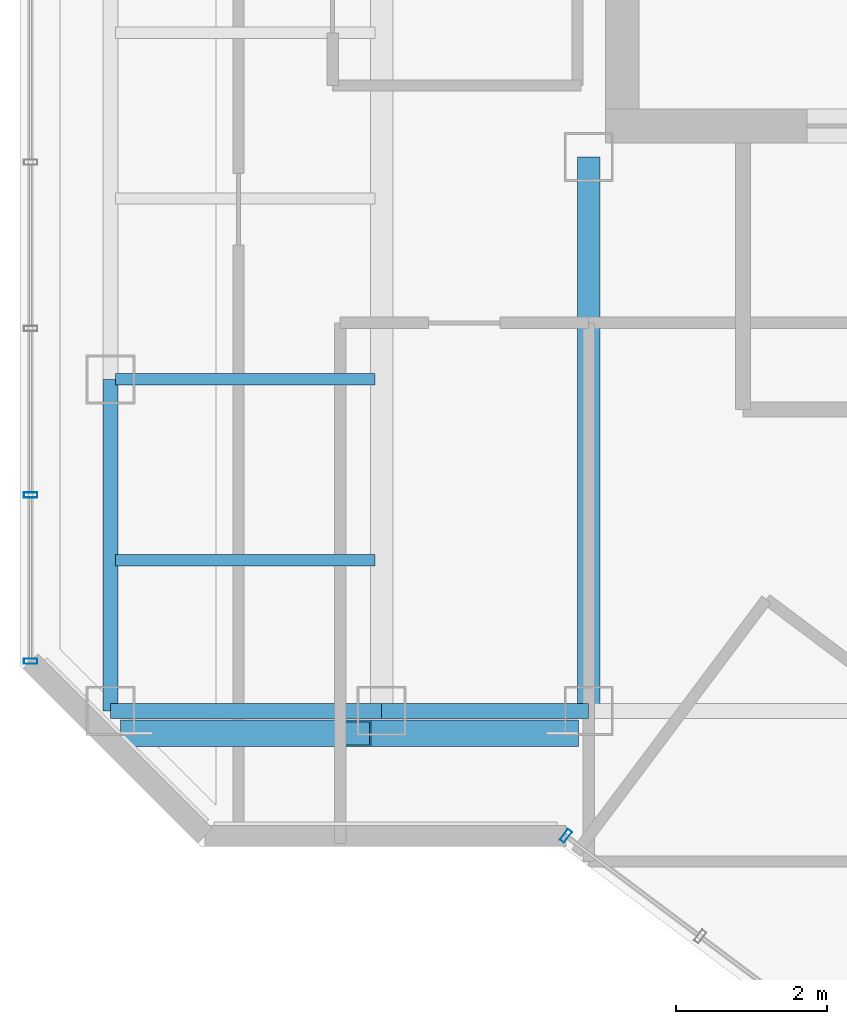
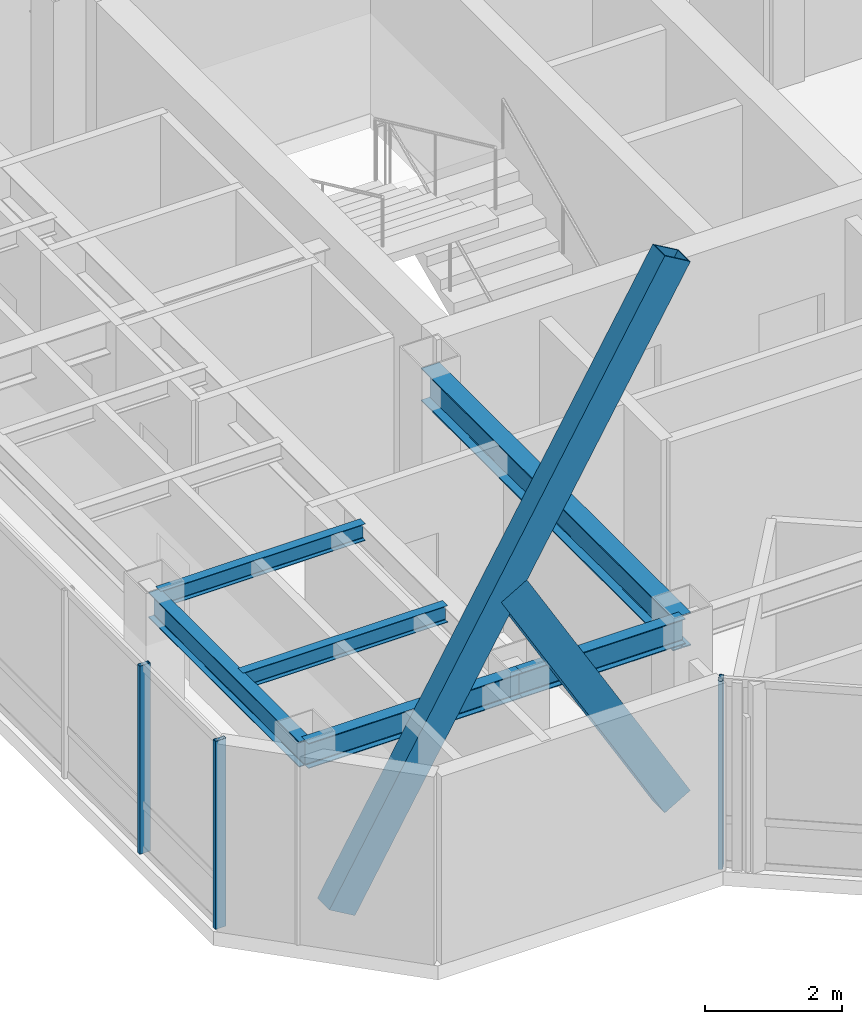
# One storey, part 3 of 22: 6 beams, 5 members, 2 elements without a shape of their own.
"""IFC4 building model written with IfcOpenShell, lengths in metres."""

from ifc_helpers import new_model, si_unit, direction, frame, origin, origin_2d, place, context, subcontext, project, spatial, hollow_rectangle, i_section, extrude, material, layer, layer_set, material_profile, profile_set, type_object, element, aggregate, save


model = new_model("IFC4")

# Units and contexts
model_context = context("Model", 3, precision=1e-05, world=origin(), true_north=direction((0.0, 1.0)))
body_context = subcontext(model_context, "Body", "Model", "MODEL_VIEW")
ifc_project = project(units=[si_unit("LENGTHUNIT", "METRE"), si_unit("AREAUNIT", "SQUARE_METRE"), si_unit("VOLUMEUNIT", "CUBIC_METRE"), si_unit("PLANEANGLEUNIT", "RADIAN"), si_unit("MASSUNIT", "GRAM", prefix="KILO")], contexts=[model_context])

# Site, building, storey
site_placement = place(None, origin())
site = spatial("IfcSite", under=ifc_project, at=site_placement, CompositionType="ELEMENT")
building_placement = place(site_placement, origin())
building = spatial("IfcBuilding", under=site, at=building_placement, Name="Hatsunagi Terrace Concourse", CompositionType="ELEMENT")
storey_placement = place(building_placement, frame((0.0, 0.0, 239.550048828125)))
storey = spatial("IfcBuildingStorey", under=building, at=storey_placement, Name="L63", CompositionType="ELEMENT", Elevation=239.550048828125)

# Curtain wall, member
ifc_material_1 = material(Name="Anodised Aluminium Alloy 6063-T5", Category="aluminium")
ifc_layer = layer(ifc_material_1, 0.199951171875)
ifc_layer_set = layer_set([ifc_layer], Name="OfficeZone2_CW04")
curtain_wall_type = type_object("IfcCurtainWallType", Name="OfficeZone2_CW04", PredefinedType="NOTDEFINED", material=ifc_layer_set)
curtain_wall_1_placement = place(storey_placement, origin())
curtain_wall_1 = element("IfcCurtainWall", 1, at=curtain_wall_1_placement, inside=storey, type_object=curtain_wall_type, Name="Unitised Curtain Wall CW-04 CW-L63-05", PredefinedType="NOTDEFINED")
ifc_material_2 = material(Name="Anodised Aluminium Alloy 6063-T5", Category="aluminium")
ifc_material_profile_1 = material_profile(ifc_material_2, hollow_rectangle(XDim=0.070068359375, YDim=0.179931640625, WallThickness=0.00390625, at=origin_2d()), Name="ALU-MUL-180x70x4")
ifc_profile_set_1 = profile_set([ifc_material_profile_1], Name="Anodised Aluminium Alloy 6063-T5")
member_type_1 = type_object("IfcMemberType", Name="CurtainWallMullion_180x70", PredefinedType="MULLION", material=ifc_profile_set_1)
member_1_placement = place(storey_placement, frame((25.2470703125, 23.5400390625, 0.0), z_axis=(0.0, 0.0, 1.0), x_axis=(-0.800007305671, 0.599990258982, 0.0)))
member_1 = element("IfcMember", 2, at=member_1_placement, type_object=member_type_1, Name="Curtain Wall Mullion MUL-02", PredefinedType="MULLION", context=body_context, shape_type="SweptSolid", body=[
    extrude(hollow_rectangle(XDim=0.070068359375, YDim=0.179931640625, WallThickness=0.00390625, at=origin_2d()), origin(), (0.0, 0.0, 1.0), 3.349853515625),
])
aggregate(curtain_wall_1, [member_1])

# Curtain wall, members
curtain_wall_2_placement = place(storey_placement, origin())
curtain_wall_2 = element("IfcCurtainWall", 3, at=curtain_wall_2_placement, inside=storey, type_object=curtain_wall_type, Name="Unitised Curtain Wall CW-04 CW-L63-08", PredefinedType="NOTDEFINED")
member_2_placement = place(storey_placement, frame((18.139892578125, 25.85791015625, 0.0), z_axis=(0.0, 0.0, 1.0), x_axis=(0.0, 1.0, 0.0)))
member_2 = element("IfcMember", 4, at=member_2_placement, type_object=member_type_1, Name="Curtain Wall Mullion MUL-02", PredefinedType="MULLION", context=body_context, shape_type="SweptSolid", body=[
    extrude(hollow_rectangle(XDim=0.070068359375, YDim=0.179931640625, WallThickness=0.00390625, at=origin_2d()), origin(), (0.0, 0.0, 1.0), 3.349853515625),
])
member_3_placement = place(storey_placement, frame((18.139892578125, 28.06591796875, 0.0), z_axis=(0.0, 0.0, 1.0), x_axis=(0.0, 1.0, 0.0)))
member_3 = element("IfcMember", 5, at=member_3_placement, type_object=member_type_1, Name="Curtain Wall Mullion MUL-02", PredefinedType="MULLION", context=body_context, shape_type="SweptSolid", body=[
    extrude(hollow_rectangle(XDim=0.070068359375, YDim=0.179931640625, WallThickness=0.00390625, at=origin_2d()), origin(), (0.0, 0.0, 1.0), 3.349853515625),
])
aggregate(curtain_wall_2, [member_2, member_3])

# Beams
ifc_material_3 = material(Name="Steel SN490B", Category="steel")
ifc_material_profile_2 = material_profile(ifc_material_3, i_section(OverallWidth=0.300048828125, OverallDepth=0.587890625, WebThickness=0.011962890625, FlangeThickness=0.02001953125, FilletRadius=0.01806640625, at=origin_2d()), Name="H-588x300x12x20")
ifc_profile_set_2 = profile_set([ifc_material_profile_2], Name="Steel SN490B")
beam_type_1 = type_object("IfcBeamType", Name="OfficeHighGirder_H_588x300", PredefinedType="BEAM", material=ifc_profile_set_2)
beam_1_placement = place(storey_placement, frame((25.550048828125, 25.199951171875, 3.055908203125), z_axis=(0.0, 1.0, 0.0), x_axis=(-1.0, 0.0, 0.0)))
element("IfcBeam", 6, at=beam_1_placement, inside=storey, type_object=beam_type_1, Name="Beam G-06 BM-L63-K1CA", PredefinedType="BEAM", context=body_context, shape_type="SweptSolid", body=[
    extrude(i_section(OverallWidth=0.300048828125, OverallDepth=0.587890625, WebThickness=0.011962890625, FlangeThickness=0.02001953125, FilletRadius=0.01806640625, at=origin_2d()), origin(), (0.0, 0.0, 1.0), 7.35009765625),
])
ifc_material_4 = material(Name="Steel SN490B", Category="steel")
ifc_material_profile_3 = material_profile(ifc_material_4, i_section(OverallWidth=0.14990234375, OverallDepth=0.300048828125, WebThickness=0.006591796875, FlangeThickness=0.009033203125, FilletRadius=0.010986328125, at=origin_2d()), Name="H-300x150x6.5x9")
ifc_profile_set_3 = profile_set([ifc_material_profile_3], Name="Steel SN490B")
beam_type_2 = type_object("IfcBeamType", Name="OfficeJoist_H_300x150", PredefinedType="JOIST", material=ifc_profile_set_3)
for number, where, z_axis, x_axis, name in (
    (7, (19.264892578125, 27.199951171875, 3.199951171875), (1.0, 0.0, 0.0), (0.0, 1.0, 0.0), "Beam J-03 J-L63-W-19-272"),
    (8, (19.264892578125, 29.60009765625, 3.199951171875), (1.0, 0.0, 0.0), (0.0, 1.0, 0.0), "Beam J-03 J-L63-W-19-296"),
):
    element("IfcBeam", number, at=place(storey_placement, frame(where, z_axis=z_axis, x_axis=x_axis)), inside=storey, type_object=beam_type_2, Name=name, PredefinedType="JOIST", context=body_context, shape_type="SweptSolid", body=[
        extrude(i_section(OverallWidth=0.14990234375, OverallDepth=0.300048828125, WebThickness=0.006591796875, FlangeThickness=0.009033203125, FilletRadius=0.010986328125, at=origin_2d()), origin(), (0.0, 0.0, 1.0), 3.4501953125),
    ])
ifc_material_5 = material(Name="Steel SN490B", Category="steel")
ifc_material_profile_4 = material_profile(ifc_material_5, i_section(OverallWidth=0.199951171875, OverallDepth=0.449951171875, WebThickness=0.009033203125, FlangeThickness=0.013916015625, FilletRadius=0.01611328125, at=origin_2d()), Name="H-450x200x9x14")
ifc_profile_set_4 = profile_set([ifc_material_profile_4], Name="Steel SN490B")
beam_type_3 = type_object("IfcBeamType", Name="PerimeterSpandrel_H_450x200", PredefinedType="SPANDREL", material=ifc_profile_set_4)
beam_2_placement = place(storey_placement, frame((19.199951171875, 25.199951171875, 3.125), z_axis=(1.0, 0.0, 0.0), x_axis=(0.0, 1.0, 0.0)))
element("IfcBeam", 9, at=beam_2_placement, inside=storey, type_object=beam_type_3, Name="Beam SP-02 BM-L63-WS-19", PredefinedType="SPANDREL", context=body_context, shape_type="SweptSolid", body=[
    extrude(i_section(OverallWidth=0.199951171875, OverallDepth=0.449951171875, WebThickness=0.009033203125, FlangeThickness=0.013916015625, FilletRadius=0.01611328125, at=origin_2d()), origin(), (0.0, 0.0, 1.0), 3.60009765625),
])
beam_3_placement = place(storey_placement, frame((22.800048828125, 25.199951171875, 3.125), z_axis=(1.0, 0.0, 0.0), x_axis=(0.0, 1.0, 0.0)))
element("IfcBeam", 10, at=beam_3_placement, inside=storey, type_object=beam_type_3, Name="Beam SP-02 BM-L63-WS-22", PredefinedType="SPANDREL", context=body_context, shape_type="SweptSolid", body=[
    extrude(i_section(OverallWidth=0.199951171875, OverallDepth=0.449951171875, WebThickness=0.009033203125, FlangeThickness=0.013916015625, FilletRadius=0.01611328125, at=origin_2d()), origin(), (0.0, 0.0, 1.0), 2.75),
])
beam_4_placement = place(storey_placement, frame((19.199951171875, 25.199951171875, 3.125), z_axis=(0.0, 1.0, 0.0), x_axis=(-1.0, 0.0, 0.0)))
element("IfcBeam", 11, at=beam_4_placement, inside=storey, type_object=beam_type_3, Name="Beam SP-02 BM-L63-NS-19-25", PredefinedType="SPANDREL", context=body_context, shape_type="SweptSolid", body=[
    extrude(i_section(OverallWidth=0.199951171875, OverallDepth=0.449951171875, WebThickness=0.009033203125, FlangeThickness=0.013916015625, FilletRadius=0.01611328125, at=origin_2d()), origin(), (0.0, 0.0, 1.0), 4.400146484375),
])

# Members
ifc_material_6 = material(Name="Steel SN490B", Category="steel")
ifc_material_profile_5 = material_profile(ifc_material_6, hollow_rectangle(XDim=0.35009765625, YDim=0.5, WallThickness=0.02197265625, at=origin_2d()), Name="RHS-500x350x22")
ifc_profile_set_5 = profile_set([ifc_material_profile_5], Name="Steel SN490B")
member_type_2 = type_object("IfcMemberType", Name="PerimeterXBrace_Upper_RHS_500x350x22", PredefinedType="BRACE", material=ifc_profile_set_5)
member_4_placement = place(storey_placement, frame((19.550048828125, 24.89990234375, 0.43994140625), z_axis=(0.504478117286, 0.0, 0.863424477983), x_axis=(0.0, 1.0, 0.0)))
element("IfcMember", 12, at=member_4_placement, inside=storey, type_object=member_type_2, Name="Perimeter X-Brace XB-03 XB-L63-W1A", PredefinedType="BRACE", context=body_context, shape_type="SweptSolid", body=[
    extrude(hollow_rectangle(XDim=0.35009765625, YDim=0.5, WallThickness=0.02197265625, at=origin_2d()), origin(), (0.0, 0.0, 1.0), 11.199462890625),
])
member_5_placement = place(storey_placement, frame((22.446044921875, 24.89990234375, 5.154052734375), z_axis=(0.504418661384, 0.0, -0.863459213888), x_axis=(0.0, 1.0, 0.0)))
element("IfcMember", 13, at=member_5_placement, inside=storey, type_object=member_type_2, Name="Perimeter X-Brace Split Lower XB-03 XB-L63-W1B2", PredefinedType="BRACE", context=body_context, shape_type="SweptSolid", body=[
    extrude(hollow_rectangle(XDim=0.35009765625, YDim=0.5, WallThickness=0.02197265625, at=origin_2d()), origin(), (0.0, 0.0, 1.0), 5.45947265625),
])

save(model, "model.ifc")
